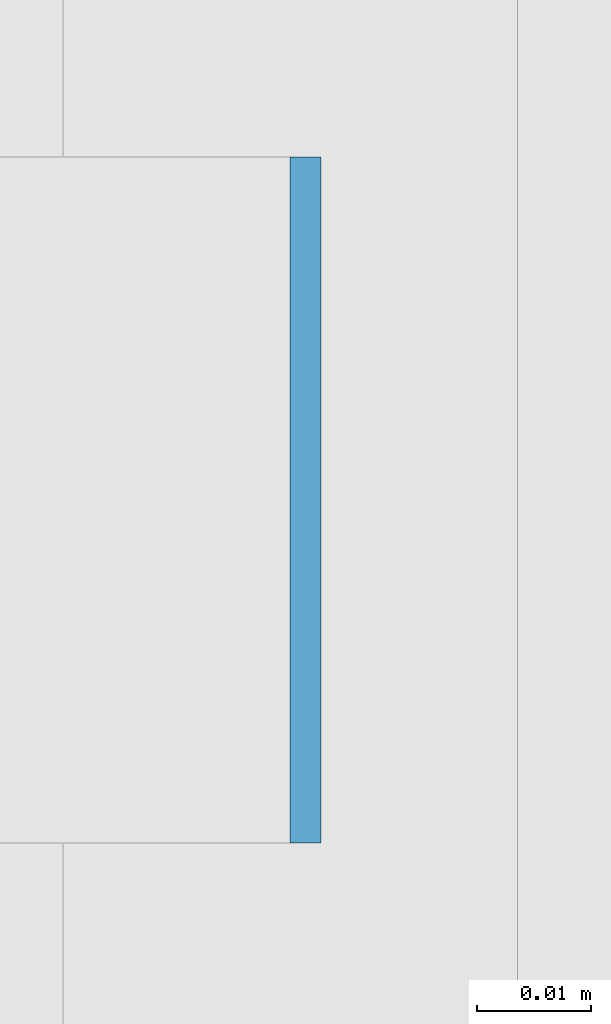
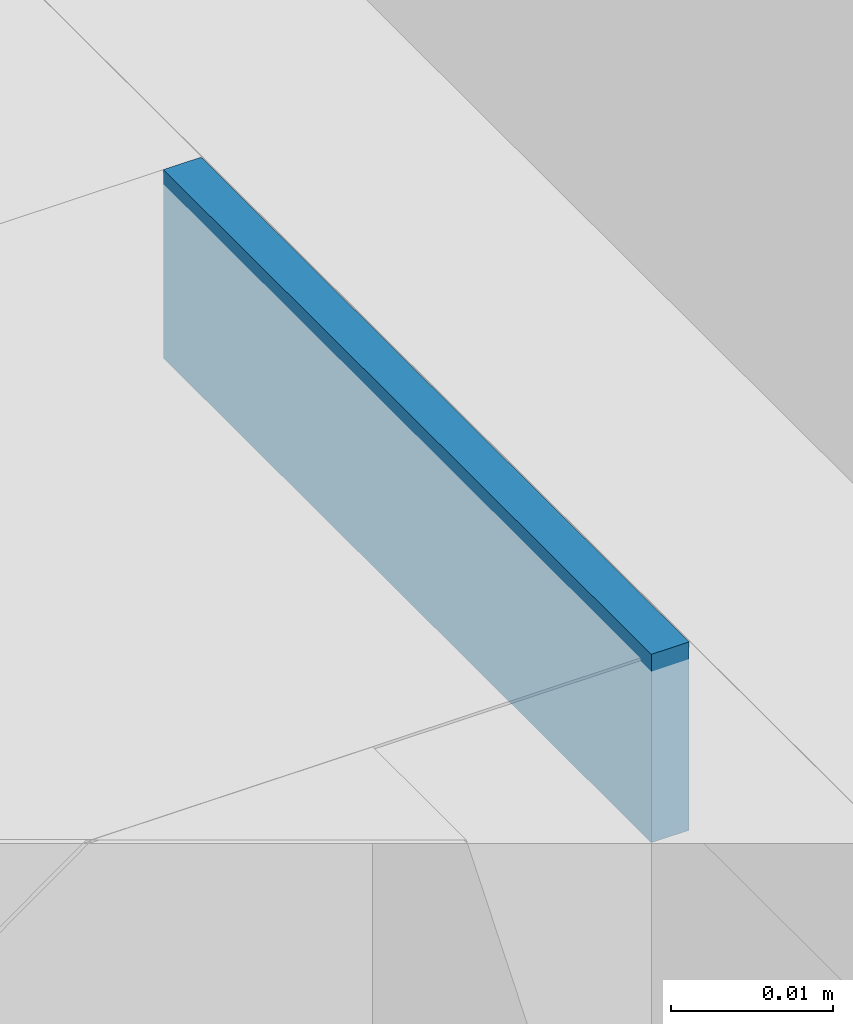
# One storey, part 357 of 646: 1 discrete accessory.
"""IFC4 building model written with IfcOpenShell, lengths in metres."""

from ifc_helpers import new_model, si_unit, direction, frame, origin, origin_2d, place, context, subcontext, project, spatial, rectangle, extrude, material, type_object, element, save


model = new_model("IFC4")

# Units and contexts
model_context = context("Model", 3, precision=1e-05, world=origin(), true_north=direction((0.0, 1.0)))
body_context = subcontext(model_context, "Body", "Model", "MODEL_VIEW")
ifc_project = project(units=[si_unit("LENGTHUNIT", "METRE"), si_unit("AREAUNIT", "SQUARE_METRE"), si_unit("VOLUMEUNIT", "CUBIC_METRE"), si_unit("PLANEANGLEUNIT", "RADIAN"), si_unit("MASSUNIT", "GRAM", prefix="KILO")], contexts=[model_context])

# Site, building, storey
site_placement = place(None, origin())
site = spatial("IfcSite", under=ifc_project, at=site_placement, CompositionType="ELEMENT")
building_placement = place(site_placement, origin())
building = spatial("IfcBuilding", under=site, at=building_placement, Name="Silverbay Arena", CompositionType="ELEMENT")
storey_placement = place(building_placement, frame((0.0, 0.0, 33.5)))
storey = spatial("IfcBuildingStorey", under=building, at=storey_placement, Name="L05", CompositionType="ELEMENT", Elevation=33.5)

# Discrete accessory
ifc_material = material(Name="Steel S355", Category="steel")
discrete_accessory_type = type_object("IfcDiscreteAccessoryType", Name="Steel bracket plate", PredefinedType="BRACKET", material=ifc_material)
discrete_accessory_placement = place(storey_placement, frame((53.871337890625, 95.142822265625, 12.98583984375), z_axis=(0.0, 0.0, 1.0), x_axis=(1.0, 0.0, 0.0)))
element("IfcDiscreteAccessory", 1, at=discrete_accessory_placement, inside=storey, type_object=discrete_accessory_type, Name="Curtain wall packing plate", PredefinedType="BRACKET", context=body_context, shape_type="SweptSolid", body=[
    extrude(rectangle(XDim=0.002685546875, YDim=0.06005859375, at=origin_2d()), origin(), (0.0, 0.0, 1.0), 0.01416015625),
])

save(model, "model.ifc")
